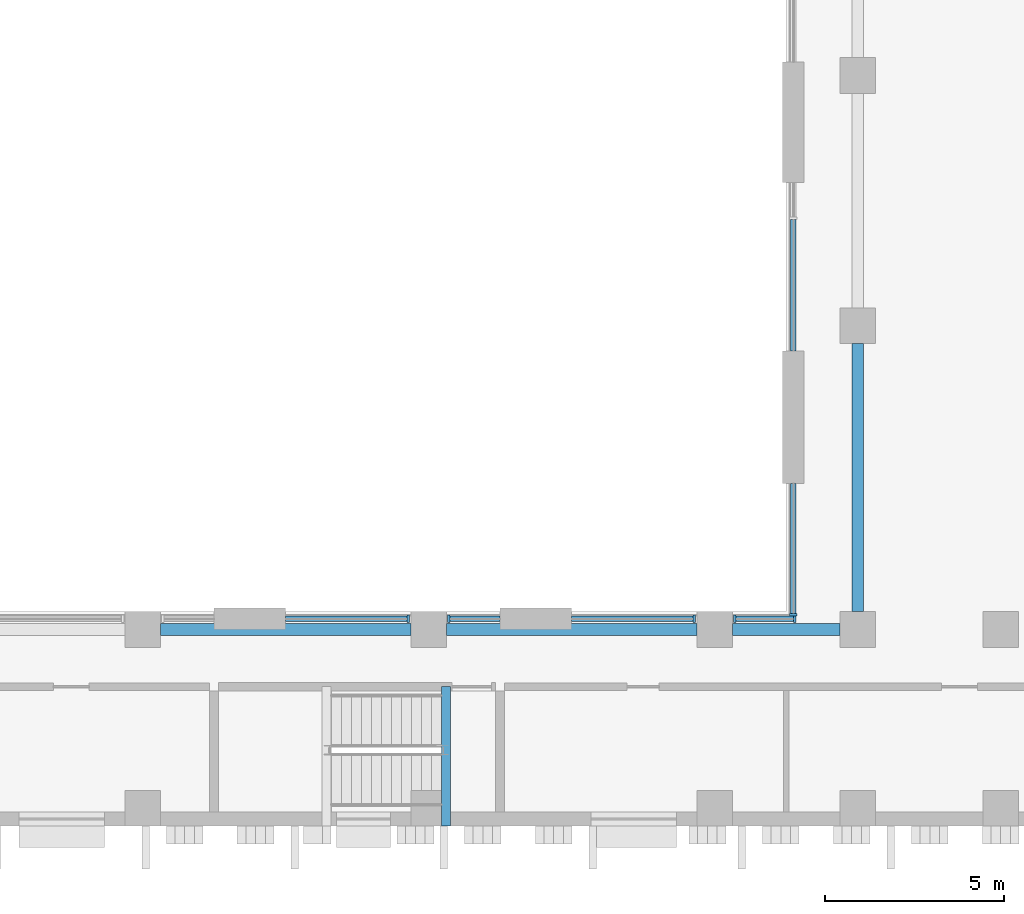
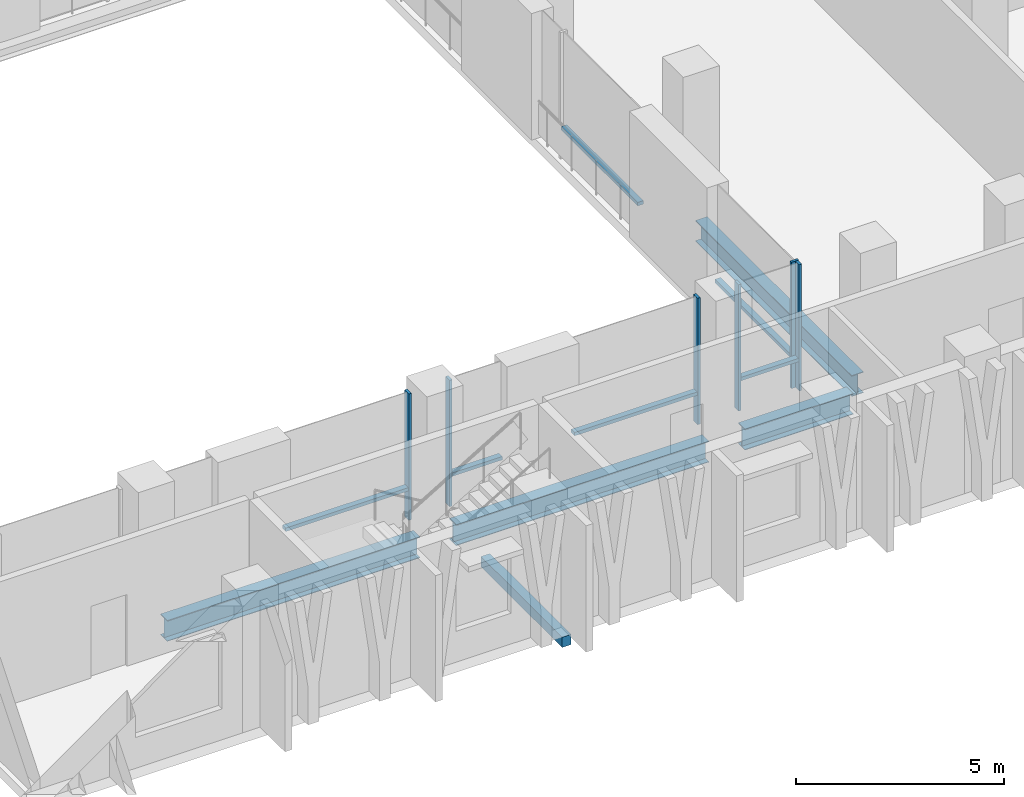
# One storey, part 3 of 26: 12 members, 5 beams, 6 elements without a shape of their own.
"""IFC4 building model written with IfcOpenShell, lengths in metres."""

from ifc_helpers import new_model, si_unit, direction, frame, origin, origin_2d, place, context, subcontext, project, spatial, rectangle, i_section, extrude, material, material_profile, profile_set, type_object, element, aggregate, save


model = new_model("IFC4")

# Units and contexts
model_context = context("Model", 3, precision=1e-05, world=origin(), true_north=direction((0.0, 1.0)))
body_context = subcontext(model_context, "Body", "Model", "MODEL_VIEW")
ifc_project = project(units=[si_unit("LENGTHUNIT", "METRE"), si_unit("AREAUNIT", "SQUARE_METRE"), si_unit("VOLUMEUNIT", "CUBIC_METRE"), si_unit("PLANEANGLEUNIT", "RADIAN"), si_unit("MASSUNIT", "GRAM", prefix="KILO")], contexts=[model_context])

# Site, building, storey
site_placement = place(None, origin())
site = spatial("IfcSite", under=ifc_project, at=site_placement, CompositionType="ELEMENT")
building_placement = place(site_placement, origin())
building = spatial("IfcBuilding", under=site, at=building_placement, Name="Vidyagriha Tower", CompositionType="ELEMENT")
storey_placement = place(building_placement, frame((0.0, 0.0, 6.0)))
storey = spatial("IfcBuildingStorey", under=building, at=storey_placement, Name="L01", CompositionType="ELEMENT", Elevation=6.0)

# Beams
ifc_material_1 = material(Name="Steel ASTM A992 Grade 50", Category="steel")
ifc_material_profile_1 = material_profile(ifc_material_1, i_section(OverallWidth=0.32373046875, OverallDepth=0.612060546875, WebThickness=0.0126953125, FlangeThickness=0.01904296875, at=origin_2d()), Name="W24X104")
ifc_profile_set_1 = profile_set([ifc_material_profile_1], Name="Steel ASTM A992 Grade 50")
beam_type_1 = type_object("IfcBeamType", Name="Atrium edge beam W24X104", PredefinedType="BEAM", material=ifc_profile_set_1)
for number, where, z_axis, x_axis, name in (
    (1, (2.5, -44.5, -0.60595703125), (1.0, 0.0, 0.0), (0.0, 1.0, 0.0), "st-beam-L01-AT04"),
    (2, (10.5, -44.5, -0.60595703125), (1.0, 0.0, 0.0), (0.0, 1.0, 0.0), "st-beam-L01-AT05"),
):
    element("IfcBeam", number, at=place(storey_placement, frame(where, z_axis=z_axis, x_axis=x_axis)), inside=storey, type_object=beam_type_1, Name=name, PredefinedType="BEAM", context=body_context, shape_type="SweptSolid", body=[
        extrude(i_section(OverallWidth=0.32373046875, OverallDepth=0.612060546875, WebThickness=0.0126953125, FlangeThickness=0.01904296875, at=origin_2d()), origin(), (0.0, 0.0, 1.0), 7.0),
    ])
beam_1_placement = place(storey_placement, frame((18.5, -44.5, -0.60595703125), z_axis=(1.0, 0.0, 0.0), x_axis=(0.0, 1.0, 0.0)))
element("IfcBeam", 3, at=beam_1_placement, inside=storey, type_object=beam_type_1, Name="st-beam-L01-AT06", PredefinedType="BEAM", context=body_context, shape_type="SweptSolid", body=[
    extrude(i_section(OverallWidth=0.32373046875, OverallDepth=0.612060546875, WebThickness=0.0126953125, FlangeThickness=0.01904296875, at=origin_2d()), origin(), (0.0, 0.0, 1.0), 3.0),
])
beam_2_placement = place(storey_placement, frame((22.0, -44.0, -0.60595703125), z_axis=(0.0, 1.0, 0.0), x_axis=(-1.0, 0.0, 0.0)))
element("IfcBeam", 4, at=beam_2_placement, inside=storey, type_object=beam_type_1, Name="st-beam-L01-AT16", PredefinedType="BEAM", context=body_context, shape_type="SweptSolid", body=[
    extrude(i_section(OverallWidth=0.32373046875, OverallDepth=0.612060546875, WebThickness=0.0126953125, FlangeThickness=0.01904296875, at=origin_2d()), origin(), (0.0, 0.0, 1.0), 7.5),
])

# Curtain wall, members
ifc_material_2 = material(Name="Aluminium and glass curtain wall", Category="aluminium")
curtain_wall_type = type_object("IfcCurtainWallType", Name="Atrium screen curtain wall", PredefinedType="USERDEFINED", material=ifc_material_2)
curtain_wall_1_placement = place(storey_placement, origin())
curtain_wall_1 = element("IfcCurtainWall", 5, at=curtain_wall_1_placement, inside=storey, type_object=curtain_wall_type, Name="CW6 atrium screen", ObjectType="UNITISED", PredefinedType="USERDEFINED")
ifc_material_3 = material(Name="Aluminium black anodised", Category="aluminium")
ifc_material_profile_2 = material_profile(ifc_material_3, rectangle(XDim=0.199951171875, YDim=0.070068359375, at=origin_2d()), Name="Mullion 70x200 black aluminium")
ifc_profile_set_2 = profile_set([ifc_material_profile_2], Name="Aluminium black anodised")
member_type_1 = type_object("IfcMemberType", Name="Mullion 70x200 black aluminium", PredefinedType="MULLION", material=ifc_profile_set_2)
member_1_placement = place(storey_placement, frame((20.2451171875, -44.199951171875, 0.0), z_axis=(0.0, 0.0, 1.0), x_axis=(0.0, -1.0, 0.0)))
member_1 = element("IfcMember", 6, at=member_1_placement, type_object=member_type_1, Name="CW6 mullion 1", PredefinedType="MULLION", context=body_context, shape_type="SweptSolid", body=[
    extrude(rectangle(XDim=0.199951171875, YDim=0.070068359375, at=origin_2d()), origin(), (0.0, 0.0, 1.0), 3.699951171875),
])
member_2_placement = place(storey_placement, frame((18.56494140625, -44.199951171875, 0.0), z_axis=(0.0, 0.0, 1.0), x_axis=(0.0, -1.0, 0.0)))
member_2 = element("IfcMember", 7, at=member_2_placement, type_object=member_type_1, Name="CW6 mullion 2", PredefinedType="MULLION", context=body_context, shape_type="SweptSolid", body=[
    extrude(rectangle(XDim=0.199951171875, YDim=0.070068359375, at=origin_2d()), origin(), (0.0, 0.0, 1.0), 3.699951171875),
])

# Curtain wall, member
curtain_wall_2_placement = place(storey_placement, origin())
curtain_wall_2 = element("IfcCurtainWall", 8, at=curtain_wall_2_placement, inside=storey, type_object=curtain_wall_type, Name="CW6 atrium screen", ObjectType="UNITISED", PredefinedType="USERDEFINED")
member_3_placement = place(storey_placement, frame((17.43505859375, -44.199951171875, 0.0), z_axis=(0.0, 0.0, 1.0), x_axis=(0.0, -1.0, 0.0)))
member_3 = element("IfcMember", 9, at=member_3_placement, type_object=member_type_1, Name="CW6 mullion 1", PredefinedType="MULLION", context=body_context, shape_type="SweptSolid", body=[
    extrude(rectangle(XDim=0.199951171875, YDim=0.070068359375, at=origin_2d()), origin(), (0.0, 0.0, 1.0), 3.699951171875),
])

curtain_wall_3_placement = place(storey_placement, origin())
curtain_wall_3 = element("IfcCurtainWall", 10, at=curtain_wall_3_placement, inside=storey, type_object=curtain_wall_type, Name="CW6 atrium screen", ObjectType="UNITISED", PredefinedType="USERDEFINED")
member_4_placement = place(storey_placement, frame((10.56494140625, -44.199951171875, 0.0), z_axis=(0.0, 0.0, 1.0), x_axis=(0.0, -1.0, 0.0)))
member_4 = element("IfcMember", 11, at=member_4_placement, type_object=member_type_1, Name="CW6 mullion 2", PredefinedType="MULLION", context=body_context, shape_type="SweptSolid", body=[
    extrude(rectangle(XDim=0.199951171875, YDim=0.070068359375, at=origin_2d()), origin(), (0.0, 0.0, 1.0), 3.699951171875),
])

curtain_wall_4_placement = place(storey_placement, origin())
curtain_wall_4 = element("IfcCurtainWall", 12, at=curtain_wall_4_placement, inside=storey, type_object=curtain_wall_type, Name="CW6 atrium screen", ObjectType="UNITISED", PredefinedType="USERDEFINED")
member_5_placement = place(storey_placement, frame((9.43505859375, -44.199951171875, 0.0), z_axis=(0.0, 0.0, 1.0), x_axis=(0.0, -1.0, 0.0)))
member_5 = element("IfcMember", 13, at=member_5_placement, type_object=member_type_1, Name="CW6 mullion 1", PredefinedType="MULLION", context=body_context, shape_type="SweptSolid", body=[
    extrude(rectangle(XDim=0.199951171875, YDim=0.070068359375, at=origin_2d()), origin(), (0.0, 0.0, 1.0), 3.699951171875),
])

curtain_wall_5_placement = place(storey_placement, origin())
curtain_wall_5 = element("IfcCurtainWall", 14, at=curtain_wall_5_placement, inside=storey, type_object=curtain_wall_type, Name="CW6 atrium screen", ObjectType="UNITISED", PredefinedType="USERDEFINED")
member_6_placement = place(storey_placement, frame((20.199951171875, -44.0849609375, 0.0)))
member_6 = element("IfcMember", 15, at=member_6_placement, type_object=member_type_1, Name="CW6 mullion 2", PredefinedType="MULLION", context=body_context, shape_type="SweptSolid", body=[
    extrude(rectangle(XDim=0.199951171875, YDim=0.070068359375, at=origin_2d()), origin(), (0.0, 0.0, 1.0), 3.699951171875),
])

# Beam
ifc_material_4 = material(Name="Concrete C40/50", Category="concrete")
ifc_material_profile_3 = material_profile(ifc_material_4, rectangle(XDim=0.25, YDim=0.300048828125, at=origin_2d()), Name="Stair landing bearing beam 250x300")
ifc_profile_set_3 = profile_set([ifc_material_profile_3], Name="Concrete C40/50")
beam_type_2 = type_object("IfcBeamType", Name="Stair landing bearing beam 250x300", PredefinedType="BEAM", material=ifc_profile_set_3)
beam_3_placement = place(storey_placement, frame((10.47998046875, -50.0, -0.449951171875), z_axis=(0.0, 1.0, 0.0), x_axis=(-1.0, 0.0, 0.0)))
element("IfcBeam", 16, at=beam_3_placement, inside=storey, type_object=beam_type_2, Name="PS4 floor landing bearing beam L01", PredefinedType="BEAM", context=body_context, shape_type="SweptSolid", body=[
    extrude(rectangle(XDim=0.25, YDim=0.300048828125, at=origin_2d()), origin(), (0.0, 0.0, 1.0), 3.89990234375),
])

# Member
ifc_material_5 = material(Name="Aluminium black anodised", Category="aluminium")
ifc_material_profile_4 = material_profile(ifc_material_5, rectangle(XDim=0.159912109375, YDim=0.10009765625, at=origin_2d()), Name="Transom 100x160 black aluminium")
ifc_profile_set_4 = profile_set([ifc_material_profile_4], Name="Aluminium black anodised")
member_type_2 = type_object("IfcMemberType", Name="Transom 100x160 black aluminium", PredefinedType="USERDEFINED", material=ifc_profile_set_4)
member_7_placement = place(storey_placement, frame((20.2099609375, -44.199951171875, 0.89990234375), z_axis=(-1.0, 0.0, 0.0), x_axis=(0.0, -1.0, 0.0)))
member_7 = element("IfcMember", 17, at=member_7_placement, type_object=member_type_2, Name="CW6 transom 1.1", ObjectType="TRANSOM", PredefinedType="USERDEFINED", context=body_context, shape_type="SweptSolid", body=[
    extrude(rectangle(XDim=0.159912109375, YDim=0.10009765625, at=origin_2d()), origin(), (0.0, 0.0, 1.0), 1.60986328125),
])

aggregate(curtain_wall_1, [member_1, member_2, member_7])

member_8_placement = place(storey_placement, frame((17.39990234375, -44.199951171875, 0.89990234375), z_axis=(-1.0, 0.0, 0.0), x_axis=(0.0, -1.0, 0.0)))
member_8 = element("IfcMember", 18, at=member_8_placement, type_object=member_type_2, Name="CW6 transom 1.1", ObjectType="TRANSOM", PredefinedType="USERDEFINED", context=body_context, shape_type="SweptSolid", body=[
    extrude(rectangle(XDim=0.159912109375, YDim=0.10009765625, at=origin_2d()), origin(), (0.0, 0.0, 1.0), 3.39990234375),
])

aggregate(curtain_wall_2, [member_3, member_8])

member_9_placement = place(storey_placement, frame((12.0, -44.199951171875, 0.89990234375), z_axis=(-1.0, 0.0, 0.0), x_axis=(0.0, -1.0, 0.0)))
member_9 = element("IfcMember", 19, at=member_9_placement, type_object=member_type_2, Name="CW6 transom 1.1", ObjectType="TRANSOM", PredefinedType="USERDEFINED", context=body_context, shape_type="SweptSolid", body=[
    extrude(rectangle(XDim=0.159912109375, YDim=0.10009765625, at=origin_2d()), origin(), (0.0, 0.0, 1.0), 1.39990234375),
])

aggregate(curtain_wall_3, [member_4, member_9])

member_10_placement = place(storey_placement, frame((9.39990234375, -44.199951171875, 0.89990234375), z_axis=(-1.0, 0.0, 0.0), x_axis=(0.0, -1.0, 0.0)))
member_10 = element("IfcMember", 20, at=member_10_placement, type_object=member_type_2, Name="CW6 transom 1.1", ObjectType="TRANSOM", PredefinedType="USERDEFINED", context=body_context, shape_type="SweptSolid", body=[
    extrude(rectangle(XDim=0.159912109375, YDim=0.10009765625, at=origin_2d()), origin(), (0.0, 0.0, 1.0), 3.39990234375),
])

aggregate(curtain_wall_4, [member_5, member_10])

# Curtain wall, member
curtain_wall_6_placement = place(storey_placement, origin())
curtain_wall_6 = element("IfcCurtainWall", 21, at=curtain_wall_6_placement, inside=storey, type_object=curtain_wall_type, Name="CW6 atrium screen", ObjectType="UNITISED", PredefinedType="USERDEFINED")
member_11_placement = place(storey_placement, frame((20.199951171875, -33.034912109375, 0.89990234375), z_axis=(0.0, -1.0, 0.0), x_axis=(1.0, 0.0, 0.0)))
member_11 = element("IfcMember", 22, at=member_11_placement, type_object=member_type_2, Name="CW6 transom 2.1", ObjectType="TRANSOM", PredefinedType="USERDEFINED", context=body_context, shape_type="SweptSolid", body=[
    extrude(rectangle(XDim=0.159912109375, YDim=0.10009765625, at=origin_2d()), origin(), (0.0, 0.0, 1.0), 3.671875),
])
aggregate(curtain_wall_6, [member_11])

# Member
member_12_placement = place(storey_placement, frame((20.199951171875, -40.413330078125, 0.89990234375), z_axis=(0.0, -1.0, 0.0), x_axis=(1.0, 0.0, 0.0)))
member_12 = element("IfcMember", 23, at=member_12_placement, type_object=member_type_2, Name="CW6 transom 1.1", ObjectType="TRANSOM", PredefinedType="USERDEFINED", context=body_context, shape_type="SweptSolid", body=[
    extrude(rectangle(XDim=0.159912109375, YDim=0.10009765625, at=origin_2d()), origin(), (0.0, 0.0, 1.0), 3.63671875),
])

aggregate(curtain_wall_5, [member_6, member_12])

save(model, "model.ifc")
